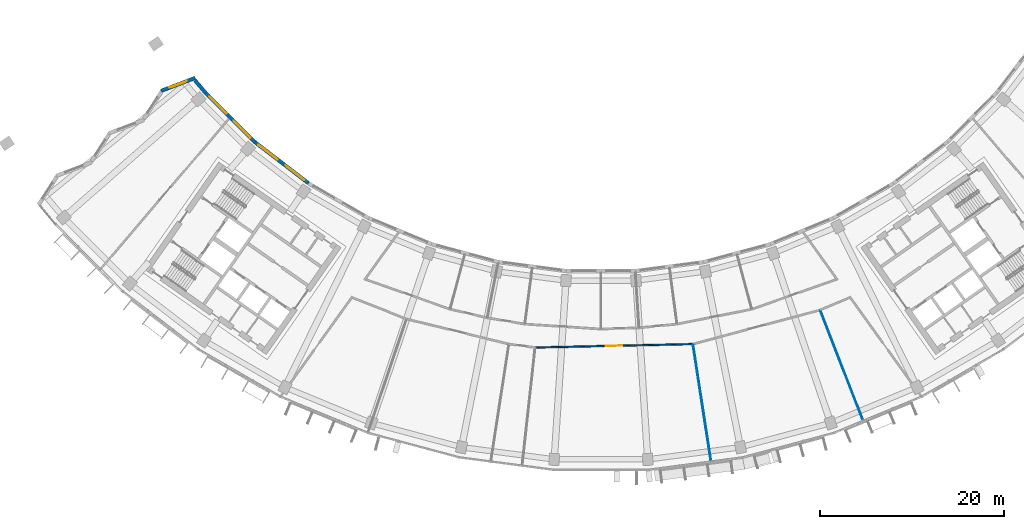
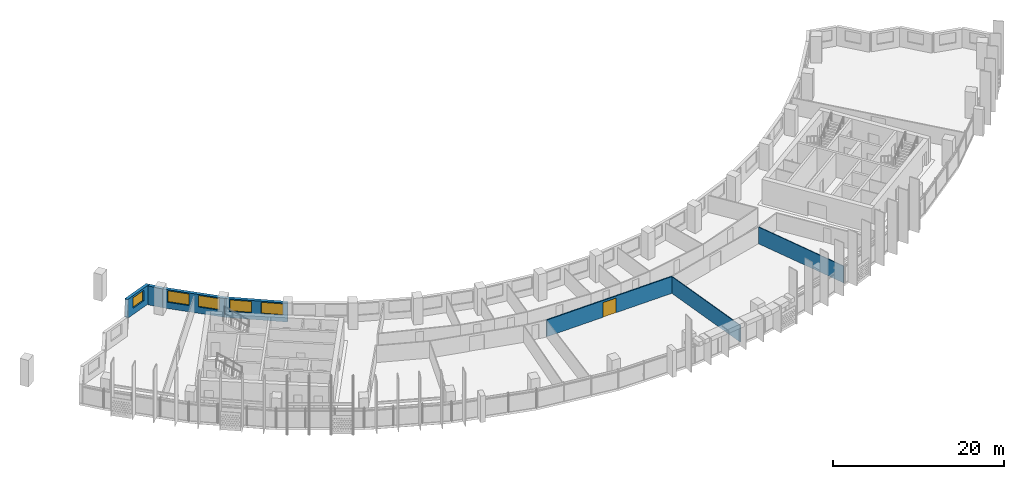
# One storey, part 5 of 27: 7 walls, 5 windows, 1 door, 6 openings.
"""IFC4 building model written with IfcOpenShell, lengths in metres."""

from ifc_helpers import new_model, si_unit, direction, frame, frame_2d, origin, place, context, subcontext, project, spatial, rectangle, extrude, material, layer, layer_set, type_object, element, fill, save


model = new_model("IFC4")

# Units and contexts
model_context = context("Model", 3, precision=1e-05, world=origin(), true_north=direction((0.0, 1.0)))
body_context = subcontext(model_context, "Body", "Model", "MODEL_VIEW")
ifc_project = project(units=[si_unit("LENGTHUNIT", "METRE"), si_unit("AREAUNIT", "SQUARE_METRE"), si_unit("VOLUMEUNIT", "CUBIC_METRE"), si_unit("PLANEANGLEUNIT", "RADIAN"), si_unit("MASSUNIT", "GRAM", prefix="KILO")], contexts=[model_context])

# Site, building, storey
site_placement = place(None, origin())
site = spatial("IfcSite", under=ifc_project, at=site_placement, CompositionType="ELEMENT")
building_placement = place(site_placement, origin())
building = spatial("IfcBuilding", under=site, at=building_placement, Name="Qamariyya Broadcast Tower", CompositionType="ELEMENT")
storey_placement = place(building_placement, frame((0.0, 0.0, 179.699951171875)))
storey = spatial("IfcBuildingStorey", under=building, at=storey_placement, Name="L42", CompositionType="ELEMENT", Elevation=179.699951171875)

# Wall, opening, door
ifc_material_1 = material(Name="Gypsum board partition")
ifc_layer_1 = layer(ifc_material_1, 0.14990234375)
ifc_layer_set_1 = layer_set([ifc_layer_1], Name="Corridor partition 150 EI 60")
wall_type_1 = type_object("IfcWallType", Name="Corridor partition 150 EI 60", PredefinedType="PARTITIONING", material=ifc_layer_set_1)
wall_1_placement = place(storey_placement, frame((10.011474609375, -65.033935546875, 0.0), z_axis=(0.0, 0.0, 1.0), x_axis=(-0.999761358934, -0.021845484265, 0.0)))
wall_1 = element("IfcWall", 1, at=wall_1_placement, inside=storey, type_object=wall_type_1, Name="Partition L42-017", PredefinedType="PARTITIONING", context=body_context, shape_type="SweptSolid", body=[
    extrude(rectangle(XDim=17.17724609375, YDim=0.14990234375, at=frame_2d((8.588623046875, 0.0))), origin(), (0.0, 0.0, 1.0), 2.400146484375),
])
opening_1_placement = place(wall_1_placement, frame((7.688720703125, 0.0, 0.0)))
opening_1 = element("IfcOpeningElement", 2, at=opening_1_placement, cuts=wall_1, Name="Opening L42-D04", PredefinedType="OPENING", context=body_context, shape_type="SweptSolid", body=[
    extrude(rectangle(XDim=1.800048828125, YDim=2.10009765625, at=frame_2d((0.89990234375, 1.050048828125))), frame((0.0, 0.0849609375, 0.0), z_axis=(0.0, -1.0, 0.0), x_axis=(1.0, 0.0, 0.0)), (0.0, 0.0, 1.0), 0.169921875),
])
ifc_material_2 = material(Name="Timber fire door leaf", Category="wood")
door_type = type_object("IfcDoorType", Name="Double fire door 1800 x 2100 FD60", OperationType="NOTDEFINED", PredefinedType="DOOR", material=ifc_material_2)
door_placement = place(opening_1_placement, origin())
door = element("IfcDoor", 3, at=door_placement, inside=storey, type_object=door_type, Name="Door L42-D04", OperationType="DOUBLE_DOOR_SINGLE_SWING", OverallHeight=2.10009765625, OverallWidth=1.800048828125, PredefinedType="DOOR", context=body_context, shape_type="SweptSolid", body=[
    extrude(rectangle(XDim=1.800048828125, YDim=2.10009765625, at=frame_2d((0.89990234375, 1.050048828125))), frame((0.0, 0.02490234375, 0.0), z_axis=(0.0, -1.0, 0.0), x_axis=(1.0, 0.0, 0.0)), (0.0, 0.0, 1.0), 0.050048828125),
])
fill(opening_1, door)

# Walls
ifc_layer_2 = layer(ifc_material_1, 0.10009765625)
ifc_layer_set_2 = layer_set([ifc_layer_2], Name="Partition 100")
wall_type_2 = type_object("IfcWallType", Name="Partition 100", PredefinedType="PARTITIONING", material=ifc_layer_set_2)
wall_2_placement = place(storey_placement, frame((11.966552734375, -77.73388671875, 0.0), z_axis=(0.0, 0.0, 1.0), x_axis=(-0.152147660046, 0.988357774059, 0.0)))
element("IfcWall", 4, at=wall_2_placement, inside=storey, type_object=wall_type_2, Name="Partition L42-025", PredefinedType="PARTITIONING", context=body_context, shape_type="SweptSolid", body=[
    extrude(rectangle(XDim=12.7744140625, YDim=0.10009765625, at=frame_2d((6.38720703125, 0.0))), origin(), (0.0, 0.0, 1.0), 2.400146484375),
])
wall_3_placement = place(storey_placement, frame((28.503662109375, -73.302978515625, 0.0), z_axis=(0.0, 0.0, 1.0), x_axis=(-0.362407525881, 0.932019734332, 0.0)))
element("IfcWall", 5, at=wall_3_placement, inside=storey, type_object=wall_type_2, Name="Partition L42-031", PredefinedType="PARTITIONING", context=body_context, shape_type="SweptSolid", body=[
    extrude(rectangle(XDim=12.774658203125, YDim=0.10009765625, at=frame_2d((6.38720703125, 0.0))), origin(), (0.0, 0.0, 1.0), 2.400146484375),
])

# Wall, opening, window
ifc_material_3 = material(Name="Terracotta", Category="masonry")
ifc_layer_3 = layer(ifc_material_3, 0.39990234375)
ifc_layer_set_3 = layer_set([ifc_layer_3], Name="Terracotta clad wall 400")
wall_type_3 = type_object("IfcWallType", Name="Terracotta clad wall 400", PredefinedType="SOLIDWALL", material=ifc_layer_set_3)
wall_4_placement = place(storey_placement, frame((-44.15673828125, -36.071044921875, 0.0), z_axis=(0.0, 0.0, 1.0), x_axis=(-0.934435822641, -0.356131567494, 0.0)))
wall_4 = element("IfcWall", 6, at=wall_4_placement, inside=storey, type_object=wall_type_3, Name="e-wl-L42-capW0", PredefinedType="SOLIDWALL", context=body_context, shape_type="SweptSolid", body=[
    extrude(rectangle(XDim=3.949462890625, YDim=0.39990234375, at=frame_2d((1.974609375, 0.0))), origin(), (0.0, 0.0, 1.0), 2.699951171875),
])
opening_2_placement = place(wall_4_placement, frame((0.974609375, 0.0, 0.89990234375)))
opening_2 = element("IfcOpeningElement", 7, at=opening_2_placement, cuts=wall_4, Name="Opening W4", PredefinedType="OPENING", context=body_context, shape_type="SweptSolid", body=[
    extrude(rectangle(XDim=2.0, YDim=1.5, at=frame_2d((1.0, 0.75))), frame((0.0, 0.2099609375, 0.0), z_axis=(0.0, -1.0, 0.0), x_axis=(1.0, 0.0, 0.0)), (0.0, 0.0, 1.0), 0.419921875),
])
ifc_material_4 = material(Name="Clear low-e double glazed unit in aluminium frame", Category="aluminium")
window_type_1 = type_object("IfcWindowType", Name="Horn bay window 2000 x 1500", PartitioningType="SINGLE_PANEL", PredefinedType="WINDOW", material=ifc_material_4)
window_1_placement = place(opening_2_placement, origin())
window_1 = element("IfcWindow", 8, at=window_1_placement, inside=storey, type_object=window_type_1, Name="e-w-L42-capW0", OverallHeight=1.5, OverallWidth=2.0, PartitioningType="SINGLE_PANEL", PredefinedType="WINDOW", context=body_context, shape_type="SweptSolid", body=[
    extrude(rectangle(XDim=2.0, YDim=1.5, at=frame_2d((1.0, 0.75))), frame((0.0, 0.030029296875, 0.0), z_axis=(0.0, -1.0, 0.0), x_axis=(1.0, 0.0, 0.0)), (0.0, 0.0, 1.0), 0.06005859375),
])
fill(opening_2, window_1)

# Wall
wall_5_placement = place(storey_placement, frame((-43.022705078125, -37.69384765625, 0.0), z_axis=(0.0, 0.0, 1.0), x_axis=(-0.644738465232, 0.764403238775, 0.0)))
element("IfcWall", 9, at=wall_5_placement, inside=storey, type_object=wall_type_3, Name="e-wl-L42-in00", PredefinedType="SOLIDWALL", context=body_context, shape_type="SweptSolid", body=[
    extrude(rectangle(XDim=1.783203125, YDim=0.39990234375, at=frame_2d((0.8916015625, 0.0))), origin(), (0.0, 0.0, 1.0), 2.699951171875),
])

# Wall, openings, windows
wall_6_placement = place(storey_placement, frame((-37.697265625, -43.023193359375, 0.0), z_axis=(0.0, 0.0, 1.0), x_axis=(-0.707106781187, 0.707106781187, 0.0)))
wall_6 = element("IfcWall", 10, at=wall_6_placement, inside=storey, type_object=wall_type_3, Name="e-wl-L42-in10", PredefinedType="SOLIDWALL", context=body_context, shape_type="SweptSolid", body=[
    extrude(rectangle(XDim=7.517578125, YDim=0.39990234375, at=frame_2d((3.7587890625, 0.0))), origin(), (0.0, 0.0, 1.0), 2.699951171875),
])
opening_3_placement = place(wall_6_placement, frame((4.330078125, 0.0, 0.89990234375)))
opening_3 = element("IfcOpeningElement", 11, at=opening_3_placement, cuts=wall_6, Name="Opening W1", PredefinedType="OPENING", context=body_context, shape_type="SweptSolid", body=[
    extrude(rectangle(XDim=2.60009765625, YDim=1.64990234375, at=frame_2d((1.300048828125, 0.824951171875))), frame((0.0, 0.2099609375, 0.0), z_axis=(0.0, -1.0, 0.0), x_axis=(1.0, 0.0, 0.0)), (0.0, 0.0, 1.0), 0.419921875),
])
opening_4_placement = place(wall_6_placement, frame((0.60205078125, 0.0, 0.89990234375)))
opening_4 = element("IfcOpeningElement", 12, at=opening_4_placement, cuts=wall_6, Name="Opening W1", PredefinedType="OPENING", context=body_context, shape_type="SweptSolid", body=[
    extrude(rectangle(XDim=2.60009765625, YDim=1.64990234375, at=frame_2d((1.300048828125, 0.824951171875))), frame((0.0, 0.2099609375, 0.0), z_axis=(0.0, -1.0, 0.0), x_axis=(1.0, 0.0, 0.0)), (0.0, 0.0, 1.0), 0.419921875),
])
window_type_2 = type_object("IfcWindowType", Name="Ribbon window 2600 x 1650", PartitioningType="SINGLE_PANEL", PredefinedType="WINDOW", material=ifc_material_4)
window_2_placement = place(opening_3_placement, origin())
window_2 = element("IfcWindow", 13, at=window_2_placement, inside=storey, type_object=window_type_2, Name="e-w-L42-in01-0", OverallHeight=1.64990234375, OverallWidth=2.60009765625, PartitioningType="SINGLE_PANEL", PredefinedType="WINDOW", context=body_context, shape_type="SweptSolid", body=[
    extrude(rectangle(XDim=2.60009765625, YDim=1.64990234375, at=frame_2d((1.300048828125, 0.824951171875))), frame((0.0, 0.030029296875, 0.0), z_axis=(0.0, -1.0, 0.0), x_axis=(1.0, 0.0, 0.0)), (0.0, 0.0, 1.0), 0.06005859375),
])
fill(opening_3, window_2)
window_3_placement = place(opening_4_placement, origin())
window_3 = element("IfcWindow", 14, at=window_3_placement, inside=storey, type_object=window_type_2, Name="e-w-L42-in01-1", OverallHeight=1.64990234375, OverallWidth=2.60009765625, PartitioningType="SINGLE_PANEL", PredefinedType="WINDOW", context=body_context, shape_type="SweptSolid", body=[
    extrude(rectangle(XDim=2.60009765625, YDim=1.64990234375, at=frame_2d((1.300048828125, 0.824951171875))), frame((0.0, 0.030029296875, 0.0), z_axis=(0.0, -1.0, 0.0), x_axis=(1.0, 0.0, 0.0)), (0.0, 0.0, 1.0), 0.06005859375),
])
fill(opening_4, window_3)

wall_7_placement = place(storey_placement, frame((-31.819091796875, -47.529541015625, 0.0), z_axis=(0.0, 0.0, 1.0), x_axis=(-0.79334647843, 0.608770371457, 0.0)))
wall_7 = element("IfcWall", 15, at=wall_7_placement, inside=storey, type_object=wall_type_3, Name="e-wl-L42-in20", PredefinedType="SOLIDWALL", context=body_context, shape_type="SweptSolid", body=[
    extrude(rectangle(XDim=7.380615234375, YDim=0.39990234375, at=frame_2d((3.6904296875, 0.0))), origin(), (0.0, 0.0, 1.0), 2.699951171875),
])
opening_5_placement = place(wall_7_placement, frame((4.25439453125, 0.0, 0.89990234375)))
opening_5 = element("IfcOpeningElement", 16, at=opening_5_placement, cuts=wall_7, Name="Opening W1", PredefinedType="OPENING", context=body_context, shape_type="SweptSolid", body=[
    extrude(rectangle(XDim=2.60009765625, YDim=1.64990234375, at=frame_2d((1.300048828125, 0.824951171875))), frame((0.0, 0.2099609375, 0.0), z_axis=(0.0, -1.0, 0.0), x_axis=(1.0, 0.0, 0.0)), (0.0, 0.0, 1.0), 0.419921875),
])
opening_6_placement = place(wall_7_placement, frame((0.5263671875, 0.0, 0.89990234375)))
opening_6 = element("IfcOpeningElement", 17, at=opening_6_placement, cuts=wall_7, Name="Opening W1", PredefinedType="OPENING", context=body_context, shape_type="SweptSolid", body=[
    extrude(rectangle(XDim=2.60009765625, YDim=1.64990234375, at=frame_2d((1.300048828125, 0.824951171875))), frame((0.0, 0.2099609375, 0.0), z_axis=(0.0, -1.0, 0.0), x_axis=(1.0, 0.0, 0.0)), (0.0, 0.0, 1.0), 0.419921875),
])
window_4_placement = place(opening_5_placement, origin())
window_4 = element("IfcWindow", 18, at=window_4_placement, inside=storey, type_object=window_type_2, Name="e-w-L42-in02-0", OverallHeight=1.64990234375, OverallWidth=2.60009765625, PartitioningType="SINGLE_PANEL", PredefinedType="WINDOW", context=body_context, shape_type="SweptSolid", body=[
    extrude(rectangle(XDim=2.60009765625, YDim=1.64990234375, at=frame_2d((1.300048828125, 0.824951171875))), frame((0.0, 0.030029296875, 0.0), z_axis=(0.0, -1.0, 0.0), x_axis=(1.0, 0.0, 0.0)), (0.0, 0.0, 1.0), 0.06005859375),
])
fill(opening_5, window_4)
window_5_placement = place(opening_6_placement, origin())
window_5 = element("IfcWindow", 19, at=window_5_placement, inside=storey, type_object=window_type_2, Name="e-w-L42-in02-1", OverallHeight=1.64990234375, OverallWidth=2.60009765625, PartitioningType="SINGLE_PANEL", PredefinedType="WINDOW", context=body_context, shape_type="SweptSolid", body=[
    extrude(rectangle(XDim=2.60009765625, YDim=1.64990234375, at=frame_2d((1.300048828125, 0.824951171875))), frame((0.0, 0.030029296875, 0.0), z_axis=(0.0, -1.0, 0.0), x_axis=(1.0, 0.0, 0.0)), (0.0, 0.0, 1.0), 0.06005859375),
])
fill(opening_6, window_5)

save(model, "model.ifc")
